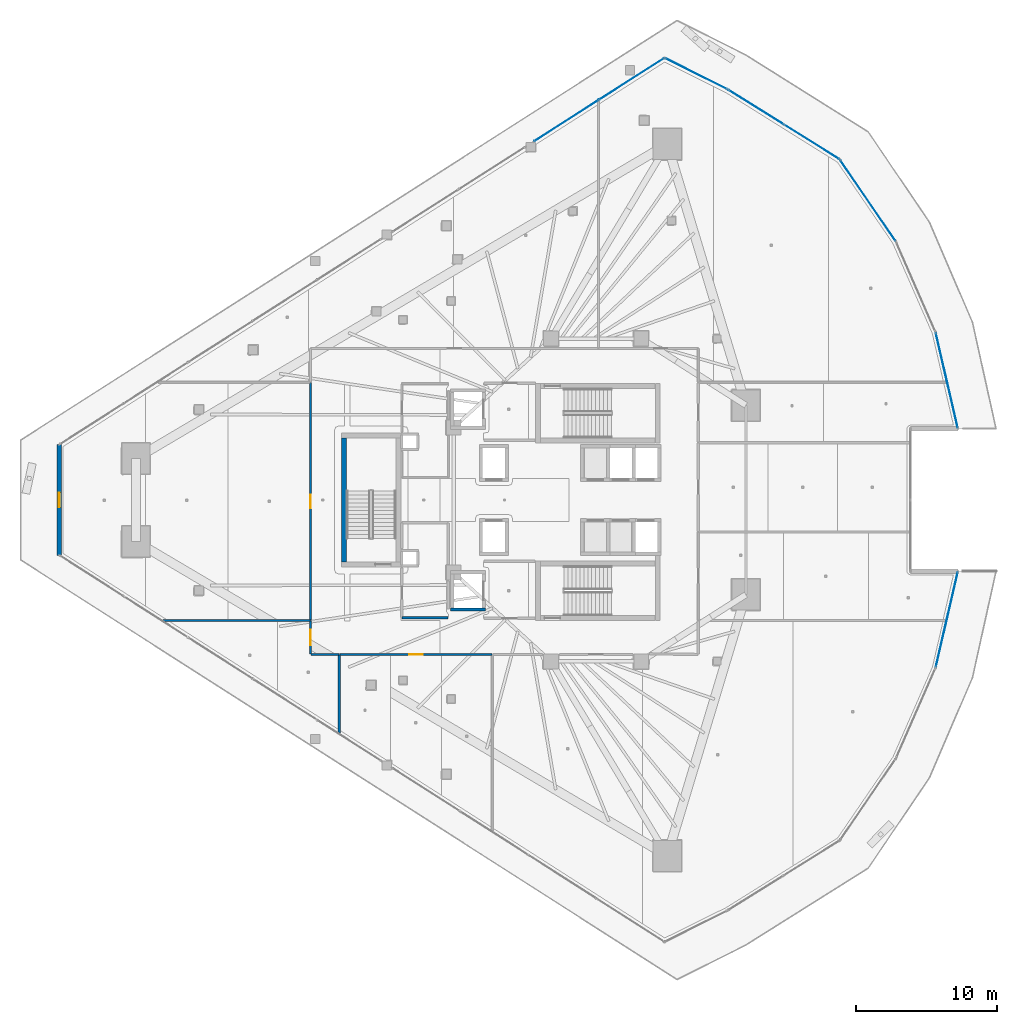
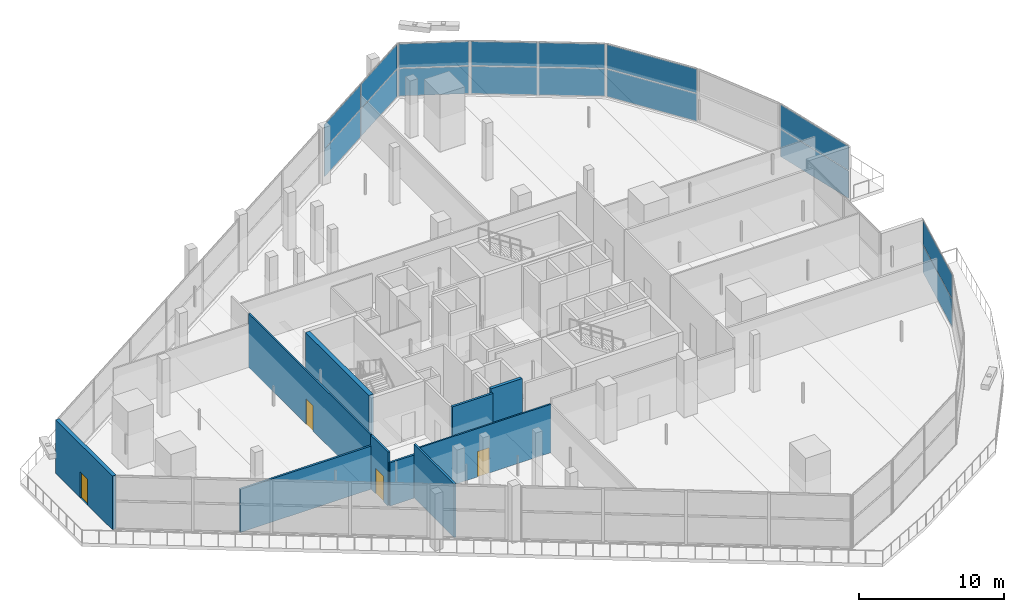
# One storey, part 25 of 42: 16 plates, 10 walls, 4 doors, 4 openings, 6 elements without a shape of their own.
"""IFC4 building model written with IfcOpenShell, lengths in metres."""

import ifcopenshell
import ifcopenshell.guid

model = None  # the IFC model being written
_history = None  # IfcOwnerHistory: only IFC2X3 demands one
_inside = {}  # id of a spatial element -> (the spatial element, [elements in it])
_under = {}  # id of a project, library or spatial element -> (it, [spatial elements below it])
_declared = {}  # id of a project -> (the project, [libraries it declares])
_typed = {}  # id of a type object -> (the type object, [elements of that type])
_made_of = {}  # id of a material, layer set ... -> (it, [elements and type objects made of it])


def new_model(schema):
    """Start an empty IFC model of exactly this schema.

    Asked for "IFC4X3", IfcOpenShell would pick the latest addendum, in which some entities
    have other attributes; the version numbers below select the first issue.
    IFC2X3 requires an IfcOwnerHistory on every rooted entity: one is made here for all.
    """
    global model, _history
    if schema == "IFC4X3":
        model = ifcopenshell.file(schema_version=(4, 3, 0, 0))
    else:
        model = ifcopenshell.file(schema=schema)
    _inside.clear()
    _under.clear()
    _declared.clear()
    _typed.clear()
    _made_of.clear()
    _history = None
    if model.schema == "IFC2X3":
        org = make("IfcOrganization", Name="unknown")
        user = make(
            "IfcPersonAndOrganization",
            ThePerson=make("IfcPerson", FamilyName="unknown"),
            TheOrganization=org,
        )
        app = make(
            "IfcApplication",
            ApplicationDeveloper=org,
            Version="unknown",
            ApplicationFullName="unknown",
            ApplicationIdentifier="unknown",
        )
        _history = make(
            "IfcOwnerHistory",
            OwningUser=user,
            OwningApplication=app,
            ChangeAction="ADDED",
            CreationDate=0,
        )
    return model


def make(cls, **values):
    """One entity of the class cls with the attributes given. An attribute that is None is left unset."""
    return model.create_entity(
        cls, **{name: value for name, value in values.items() if value is not None}
    )


def rooted(cls, **values):
    """An entity with a GlobalId (a new one), such as an element, a storey or a relation."""
    return make(cls, GlobalId=ifcopenshell.guid.new(), OwnerHistory=_history, **values)


def si_unit(unit_type, name, prefix=None):
    """IfcSIUnit, for example si_unit("LENGTHUNIT", "METRE", prefix="MILLI")."""
    return make("IfcSIUnit", UnitType=unit_type, Prefix=prefix, Name=name)


def assignment(units):
    """IfcUnitAssignment: the units of a project."""
    return None if units is None else make("IfcUnitAssignment", Units=units)


def point(xyz):
    """IfcCartesianPoint."""
    return None if xyz is None else make("IfcCartesianPoint", Coordinates=xyz)


def direction(xyz):
    """IfcDirection."""
    return None if xyz is None else make("IfcDirection", DirectionRatios=xyz)


def frame(location, z_axis=None, x_axis=None):
    """IfcAxis2Placement3D, a coordinate frame: its origin and axes. An axis left out is left unset."""
    return make(
        "IfcAxis2Placement3D",
        Location=point(location),
        Axis=direction(z_axis),
        RefDirection=direction(x_axis),
    )


def frame_2d(location, x_axis=None):
    """IfcAxis2Placement2D, a coordinate frame in the plane: its origin and x axis."""
    return make(
        "IfcAxis2Placement2D", Location=point(location), RefDirection=direction(x_axis)
    )


def origin():
    """The frame at (0, 0, 0) with its axes left unset."""
    return frame((0.0, 0.0, 0.0))


def origin_2d():
    """The frame at (0, 0) in the plane with its x axis left unset."""
    return frame_2d((0.0, 0.0))


def place(relative_to, where):
    """IfcLocalPlacement: puts the frame where relative to a parent placement (None: the world)."""
    return make(
        "IfcLocalPlacement", PlacementRelTo=relative_to, RelativePlacement=where
    )


def context(
    kind, dimensions, precision=None, world=None, true_north=None, identifier=None
):
    """IfcGeometricRepresentationContext, for example the 3D "Model" context."""
    return make(
        "IfcGeometricRepresentationContext",
        ContextIdentifier=identifier,
        ContextType=kind,
        CoordinateSpaceDimension=dimensions,
        Precision=precision,
        WorldCoordinateSystem=world,
        TrueNorth=true_north,
    )


def subcontext(parent, identifier, kind, view, scale=None):
    """IfcGeometricRepresentationSubContext, for example "Body" below "Model"."""
    return make(
        "IfcGeometricRepresentationSubContext",
        ContextIdentifier=identifier,
        ContextType=kind,
        ParentContext=parent,
        TargetScale=scale,
        TargetView=view,
    )


def project(units=None, contexts=None):
    """IfcProject with its units and contexts."""
    return rooted(
        "IfcProject",
        Name="project",
        RepresentationContexts=contexts,
        UnitsInContext=assignment(units),
    )


def spatial(cls, under=None, at=None, **own):
    """A site, building, storey or space (cls), placed at a placement, below another one or the project."""
    s = rooted(cls, ObjectPlacement=at, **own)
    if under is not None:
        _under.setdefault(under.id(), (under, []))[1].append(s)
    return s


def profile(cls, at=None, kind="AREA", **sizes):
    """A parametric profile (cls). Its sizes go by their IFC names, for example OverallWidth=200.0."""
    return make(cls, ProfileType=kind, Position=at, **sizes)


def rectangle(**sizes):
    """IfcRectangleProfileDef."""
    return profile("IfcRectangleProfileDef", **sizes)


def extrude(swept, where, along, depth):
    """IfcExtrudedAreaSolid: the profile swept, set in the frame where, extruded along a direction by depth."""
    return make(
        "IfcExtrudedAreaSolid",
        SweptArea=swept,
        Position=where,
        ExtrudedDirection=direction(along),
        Depth=depth,
    )


def shape(context_of_items, identifier, shape_type, items):
    """IfcShapeRepresentation: the items that make up one representation, for example the "Body"."""
    return make(
        "IfcShapeRepresentation",
        ContextOfItems=context_of_items,
        RepresentationIdentifier=identifier,
        RepresentationType=shape_type,
        Items=items,
    )


def material(Name=None, Category=None):
    """IfcMaterial."""
    return make("IfcMaterial", Name=Name, Category=Category)


def layer(
    of_material, thickness, ventilated=None, Name=None, Category=None, Priority=None
):
    """IfcMaterialLayer: one layer of a wall or slab, of a material (None: an air gap)."""
    return make(
        "IfcMaterialLayer",
        Material=of_material,
        LayerThickness=thickness,
        IsVentilated=ventilated,
        Name=Name,
        Category=Category,
        Priority=Priority,
    )


def layer_set(layers, Name=None):
    """IfcMaterialLayerSet."""
    return make("IfcMaterialLayerSet", MaterialLayers=layers, LayerSetName=Name)


def made_of(thing, what):
    """Note that an element or type object is made of a material, layer set ...; save() writes the relation."""
    if what is not None:
        _made_of.setdefault(what.id(), (what, []))[1].append(thing)
    return thing


def type_object(cls, material=None, **own):
    """A type object (cls), such as IfcWallType, which elements share."""
    return made_of(rooted(cls, **own), material)


def element(
    cls,
    number,
    at=None,
    inside=None,
    cuts=None,
    type_object=None,
    material=None,
    context=None,
    identifier="Body",
    shape_type=None,
    held_by="IfcProductDefinitionShape",
    body=None,
    shapes=None,
    **own,
):
    """One element of the class cls, such as IfcWall. Its Tag is "e" and its number.

    at: its placement. inside: the storey or other place that contains it. cuts: it is an
    opening in that element (IfcRelVoidsElement). A single representation is given by context,
    identifier, shape_type and body (its items); several are given by shapes. held_by: the class
    of the entity that holds the representations. save() writes the other relations.
    """
    e = rooted(cls, Tag="e%d" % number, ObjectPlacement=at, **own)
    if body is not None:
        shapes = [shape(context, identifier, shape_type, body)]
    if shapes is not None:
        e.Representation = make(held_by, Representations=shapes)
    if inside is not None:
        _inside.setdefault(inside.id(), (inside, []))[1].append(e)
    if cuts is not None:
        rooted(
            "IfcRelVoidsElement", RelatingBuildingElement=cuts, RelatedOpeningElement=e
        )
    if type_object is not None:
        _typed.setdefault(type_object.id(), (type_object, []))[1].append(e)
    return made_of(e, material)


def fill(opening, filler):
    """IfcRelFillsElement: the door or window that sits in an opening."""
    return rooted(
        "IfcRelFillsElement",
        RelatingOpeningElement=opening,
        RelatedBuildingElement=filler,
    )


def aggregate(whole, parts):
    """IfcRelAggregates: a whole, such as a stair, and the parts it consists of."""
    return rooted("IfcRelAggregates", RelatingObject=whole, RelatedObjects=parts)


def save(model, path):
    """Write the relations noted so far, then the file.

    IfcRelAggregates (storeys below a building ...), IfcRelContainedInSpatialStructure (elements
    in a storey), IfcRelDefinesByType, IfcRelAssociatesMaterial and IfcRelDeclares: one each for
    every whole, place, type object, material and project.
    """
    for whole, parts in _under.values():
        aggregate(whole, parts)
    for where, things in _inside.values():
        rooted(
            "IfcRelContainedInSpatialStructure",
            RelatedElements=things,
            RelatingStructure=where,
        )
    for kind, things in _typed.values():
        rooted("IfcRelDefinesByType", RelatedObjects=things, RelatingType=kind)
    for what, things in _made_of.values():
        rooted("IfcRelAssociatesMaterial", RelatedObjects=things, RelatingMaterial=what)
    for by, libraries in _declared.values():
        rooted("IfcRelDeclares", RelatingContext=by, RelatedDefinitions=libraries)
    model.write(path)


model = new_model("IFC4")

# Units and contexts
model_context = context("Model", 3, precision=1e-05, world=origin(), true_north=direction((0.0, 1.0)))
body_context = subcontext(model_context, "Body", "Model", "MODEL_VIEW")
ifc_project = project(units=[si_unit("LENGTHUNIT", "METRE"), si_unit("AREAUNIT", "SQUARE_METRE"), si_unit("VOLUMEUNIT", "CUBIC_METRE"), si_unit("PLANEANGLEUNIT", "RADIAN"), si_unit("MASSUNIT", "GRAM", prefix="KILO")], contexts=[model_context])

# Site, building, storey
site_placement = place(None, origin())
site = spatial("IfcSite", under=ifc_project, at=site_placement, CompositionType="ELEMENT")
building_placement = place(site_placement, origin())
building = spatial("IfcBuilding", under=site, at=building_placement, Name="Qorvath Tower", CompositionType="ELEMENT")
storey_placement = place(building_placement, frame((0.0, 0.0, 105.0)))
storey = spatial("IfcBuildingStorey", under=building, at=storey_placement, Name="L23", CompositionType="ELEMENT", Elevation=105.0)

# Curtain wall, plates
ifc_material_1 = material(Name="Anodised aluminium and triple low-E glass", Category="aluminium")
ifc_layer_1 = layer(ifc_material_1, 0.179931640625)
ifc_layer_set_1 = layer_set([ifc_layer_1], Name="CW-SYS-5")
curtain_wall_type = type_object("IfcCurtainWallType", Name="CW-SYS-5", PredefinedType="NOTDEFINED", material=ifc_layer_set_1)
curtain_wall_1_placement = place(storey_placement, origin())
curtain_wall_1 = element("IfcCurtainWall", 1, at=curtain_wall_1_placement, inside=storey, type_object=curtain_wall_type, Name="Curtain Wall CW-5 CW-T-L23-7.1", PredefinedType="NOTDEFINED")
ifc_material_2 = material(Name="Low-E triple insulated glass", Category="glass")
ifc_layer_2 = layer(ifc_material_2, 0.031982421875)
ifc_layer_set_2 = layer_set([ifc_layer_2], Name="CWP-GLZ-32")
plate_type = type_object("IfcPlateType", Name="CWP-GLZ-32", PredefinedType="CURTAIN_PANEL", material=ifc_layer_set_2)
plate_1_placement = place(storey_placement, frame((4.48828125, -8.48095703125, 0.06494140625), z_axis=(0.0, 0.0, 1.0), x_axis=(0.225084817443, 0.974339173469, 0.0)))
plate_1 = element("IfcPlate", 2, at=plate_1_placement, type_object=plate_type, Name="CW-5 panel 1.1", PredefinedType="CURTAIN_PANEL", context=body_context, shape_type="SweptSolid", body=[
    extrude(rectangle(XDim=6.8837890625, YDim=0.031982421875, at=origin_2d()), origin(), (0.0, 0.0, 1.0), 2.302490234375),
])
plate_2_placement = place(storey_placement, frame((4.48828125, -8.48095703125, 2.43212890625), z_axis=(0.0, 0.0, 1.0), x_axis=(0.225084817443, 0.974339173469, 0.0)))
plate_2 = element("IfcPlate", 3, at=plate_2_placement, type_object=plate_type, Name="CW-5 panel 1.2", PredefinedType="CURTAIN_PANEL", context=body_context, shape_type="SweptSolid", body=[
    extrude(rectangle(XDim=6.8837890625, YDim=0.031982421875, at=origin_2d()), origin(), (0.0, 0.0, 1.0), 2.022705078125),
])
aggregate(curtain_wall_1, [plate_1, plate_2])

curtain_wall_2_placement = place(storey_placement, origin())
curtain_wall_2 = element("IfcCurtainWall", 4, at=curtain_wall_2_placement, inside=storey, type_object=curtain_wall_type, Name="Curtain Wall CW-5 CW-T-L23-11.1", PredefinedType="NOTDEFINED")
plate_3_placement = place(storey_placement, frame((4.48828125, 8.48095703125, 0.06494140625), z_axis=(0.0, 0.0, 1.0), x_axis=(-0.225084817443, 0.974339173469, 0.0)))
plate_3 = element("IfcPlate", 5, at=plate_3_placement, type_object=plate_type, Name="CW-5 panel 1.1", PredefinedType="CURTAIN_PANEL", context=body_context, shape_type="SweptSolid", body=[
    extrude(rectangle(XDim=6.8837890625, YDim=0.031982421875, at=origin_2d()), origin(), (0.0, 0.0, 1.0), 2.302490234375),
])
plate_4_placement = place(storey_placement, frame((4.48828125, 8.48095703125, 2.43212890625), z_axis=(0.0, 0.0, 1.0), x_axis=(-0.225084817443, 0.974339173469, 0.0)))
plate_4 = element("IfcPlate", 6, at=plate_4_placement, type_object=plate_type, Name="CW-5 panel 1.2", PredefinedType="CURTAIN_PANEL", context=body_context, shape_type="SweptSolid", body=[
    extrude(rectangle(XDim=6.8837890625, YDim=0.031982421875, at=origin_2d()), origin(), (0.0, 0.0, 1.0), 2.022705078125),
])
aggregate(curtain_wall_2, [plate_3, plate_4])

curtain_wall_3_placement = place(storey_placement, origin())
curtain_wall_3 = element("IfcCurtainWall", 7, at=curtain_wall_3_placement, inside=storey, type_object=curtain_wall_type, Name="Curtain Wall CW-5 CW-T-L23-13.1", PredefinedType="NOTDEFINED")
plate_5_placement = place(storey_placement, frame((-1.111328125, 21.25341796875, 0.06494140625), z_axis=(0.0, 0.0, 1.0), x_axis=(-0.564120075297, 0.825692764076, 0.0)))
plate_5 = element("IfcPlate", 8, at=plate_5_placement, type_object=plate_type, Name="CW-5 panel 1.1", PredefinedType="CURTAIN_PANEL", context=body_context, shape_type="SweptSolid", body=[
    extrude(rectangle(XDim=6.883544921875, YDim=0.031982421875, at=origin_2d()), origin(), (0.0, 0.0, 1.0), 2.302490234375),
])
plate_6_placement = place(storey_placement, frame((-1.111328125, 21.25341796875, 2.43212890625), z_axis=(0.0, 0.0, 1.0), x_axis=(-0.564120075297, 0.825692764076, 0.0)))
plate_6 = element("IfcPlate", 9, at=plate_6_placement, type_object=plate_type, Name="CW-5 panel 1.2", PredefinedType="CURTAIN_PANEL", context=body_context, shape_type="SweptSolid", body=[
    extrude(rectangle(XDim=6.883544921875, YDim=0.031982421875, at=origin_2d()), origin(), (0.0, 0.0, 1.0), 2.022705078125),
])
aggregate(curtain_wall_3, [plate_5, plate_6])

curtain_wall_4_placement = place(storey_placement, origin())
curtain_wall_4 = element("IfcCurtainWall", 10, at=curtain_wall_4_placement, inside=storey, type_object=curtain_wall_type, Name="Curtain Wall CW-5 CW-T-L23-14.1", PredefinedType="NOTDEFINED")
plate_7_placement = place(storey_placement, frame((-5.1025390625, 25.410400390625, 0.06494140625), z_axis=(0.0, 0.0, 1.0), x_axis=(-0.848257232519, 0.529584429037, 0.0)))
plate_7 = element("IfcPlate", 11, at=plate_7_placement, type_object=plate_type, Name="CW-5 panel 1.1", PredefinedType="CURTAIN_PANEL", context=body_context, shape_type="SweptSolid", body=[
    extrude(rectangle(XDim=4.5830078125, YDim=0.031982421875, at=origin_2d()), origin(), (0.0, 0.0, 1.0), 2.302490234375),
])
plate_8_placement = place(storey_placement, frame((-5.1025390625, 25.410400390625, 2.43212890625), z_axis=(0.0, 0.0, 1.0), x_axis=(-0.848257232519, 0.529584429037, 0.0)))
plate_8 = element("IfcPlate", 12, at=plate_8_placement, type_object=plate_type, Name="CW-5 panel 1.2", PredefinedType="CURTAIN_PANEL", context=body_context, shape_type="SweptSolid", body=[
    extrude(rectangle(XDim=4.5830078125, YDim=0.031982421875, at=origin_2d()), origin(), (0.0, 0.0, 1.0), 2.022705078125),
])
plate_9_placement = place(storey_placement, frame((-9.053955078125, 27.87744140625, 0.06494140625), z_axis=(0.0, 0.0, 1.0), x_axis=(-0.848257232519, 0.529584429037, 0.0)))
plate_9 = element("IfcPlate", 13, at=plate_9_placement, type_object=plate_type, Name="CW-5 panel 2.1", PredefinedType="CURTAIN_PANEL", context=body_context, shape_type="SweptSolid", body=[
    extrude(rectangle(XDim=4.5830078125, YDim=0.031982421875, at=origin_2d()), origin(), (0.0, 0.0, 1.0), 2.302490234375),
])
plate_10_placement = place(storey_placement, frame((-9.053955078125, 27.87744140625, 2.43212890625), z_axis=(0.0, 0.0, 1.0), x_axis=(-0.848257232519, 0.529584429037, 0.0)))
plate_10 = element("IfcPlate", 14, at=plate_10_placement, type_object=plate_type, Name="CW-5 panel 2.2", PredefinedType="CURTAIN_PANEL", context=body_context, shape_type="SweptSolid", body=[
    extrude(rectangle(XDim=4.5830078125, YDim=0.031982421875, at=origin_2d()), origin(), (0.0, 0.0, 1.0), 2.022705078125),
])
aggregate(curtain_wall_4, [plate_7, plate_8, plate_9, plate_10])

curtain_wall_5_placement = place(storey_placement, origin())
curtain_wall_5 = element("IfcCurtainWall", 15, at=curtain_wall_5_placement, inside=storey, type_object=curtain_wall_type, Name="Curtain Wall CW-5 CW-T-L23-15.1", PredefinedType="NOTDEFINED")
plate_11_placement = place(storey_placement, frame((-13.30224609375, 30.2509765625, 0.06494140625), z_axis=(0.0, 0.0, 1.0), x_axis=(-0.894439165234, 0.447189646231, 0.0)))
plate_11 = element("IfcPlate", 16, at=plate_11_placement, type_object=plate_type, Name="CW-5 panel 1.1", PredefinedType="CURTAIN_PANEL", context=body_context, shape_type="SweptSolid", body=[
    extrude(rectangle(XDim=4.860595703125, YDim=0.031982421875, at=origin_2d()), origin(), (0.0, 0.0, 1.0), 2.302490234375),
])
plate_12_placement = place(storey_placement, frame((-13.30224609375, 30.2509765625, 2.43212890625), z_axis=(0.0, 0.0, 1.0), x_axis=(-0.894439165234, 0.447189646231, 0.0)))
plate_12 = element("IfcPlate", 17, at=plate_12_placement, type_object=plate_type, Name="CW-5 panel 1.2", PredefinedType="CURTAIN_PANEL", context=body_context, shape_type="SweptSolid", body=[
    extrude(rectangle(XDim=4.860595703125, YDim=0.031982421875, at=origin_2d()), origin(), (0.0, 0.0, 1.0), 2.022705078125),
])
aggregate(curtain_wall_5, [plate_11, plate_12])

curtain_wall_6_placement = place(storey_placement, origin())
curtain_wall_6 = element("IfcCurtainWall", 18, at=curtain_wall_6_placement, inside=storey, type_object=curtain_wall_type, Name="Curtain Wall CW-5 CW-T-L23-16.1", PredefinedType="NOTDEFINED")
plate_13_placement = place(storey_placement, frame((-17.88330078125, 29.87548828125, 0.06494140625), z_axis=(0.0, 0.0, 1.0), x_axis=(-0.842600081079, -0.538539788099, 0.0)))
plate_13 = element("IfcPlate", 19, at=plate_13_placement, type_object=plate_type, Name="CW-5 panel 1.1", PredefinedType="CURTAIN_PANEL", context=body_context, shape_type="SweptSolid", body=[
    extrude(rectangle(XDim=5.40478515625, YDim=0.031982421875, at=origin_2d()), origin(), (0.0, 0.0, 1.0), 2.302490234375),
])
plate_14_placement = place(storey_placement, frame((-17.88330078125, 29.87548828125, 2.43212890625), z_axis=(0.0, 0.0, 1.0), x_axis=(-0.842600081079, -0.538539788099, 0.0)))
plate_14 = element("IfcPlate", 20, at=plate_14_placement, type_object=plate_type, Name="CW-5 panel 1.2", PredefinedType="CURTAIN_PANEL", context=body_context, shape_type="SweptSolid", body=[
    extrude(rectangle(XDim=5.40478515625, YDim=0.031982421875, at=origin_2d()), origin(), (0.0, 0.0, 1.0), 2.022705078125),
])
plate_15_placement = place(storey_placement, frame((-22.50048828125, 26.924560546875, 0.06494140625), z_axis=(0.0, 0.0, 1.0), x_axis=(-0.842600081079, -0.538539788099, 0.0)))
plate_15 = element("IfcPlate", 21, at=plate_15_placement, type_object=plate_type, Name="CW-5 panel 2.1", PredefinedType="CURTAIN_PANEL", context=body_context, shape_type="SweptSolid", body=[
    extrude(rectangle(XDim=5.40478515625, YDim=0.031982421875, at=origin_2d()), origin(), (0.0, 0.0, 1.0), 2.302490234375),
])
plate_16_placement = place(storey_placement, frame((-22.50048828125, 26.924560546875, 2.43212890625), z_axis=(0.0, 0.0, 1.0), x_axis=(-0.842600081079, -0.538539788099, 0.0)))
plate_16 = element("IfcPlate", 22, at=plate_16_placement, type_object=plate_type, Name="CW-5 panel 2.2", PredefinedType="CURTAIN_PANEL", context=body_context, shape_type="SweptSolid", body=[
    extrude(rectangle(XDim=5.40478515625, YDim=0.031982421875, at=origin_2d()), origin(), (0.0, 0.0, 1.0), 2.022705078125),
])
aggregate(curtain_wall_6, [plate_13, plate_14, plate_15, plate_16])

# Walls
ifc_material_3 = material(Name="Gypsum shaftliner on steel studs", Category="steel")
ifc_layer_3 = layer(ifc_material_3, 0.179931640625)
ifc_layer_set_3 = layer_set([ifc_layer_3], Name="FW-LOBBY")
wall_type_1 = type_object("IfcWallType", Name="FW-LOBBY", PredefinedType="PARTITIONING", material=ifc_layer_set_3)
wall_1_placement = place(storey_placement, frame((-34.15478515625, -8.35009765625, 0.0), z_axis=(0.0, 0.0, 1.0), x_axis=(1.0, 0.0, 0.0)))
element("IfcWall", 23, at=wall_1_placement, inside=storey, type_object=wall_type_1, Name="Interior Partition IW-T1-L23-011", PredefinedType="PARTITIONING", context=body_context, shape_type="SweptSolid", body=[
    extrude(rectangle(XDim=3.25, YDim=0.179931640625, at=frame_2d((1.625, 0.0))), origin(), (0.0, 0.0, 1.0), 4.52001953125),
])
ifc_material_4 = material(Name="Double acoustic gypsum board on steel studs", Category="steel")
ifc_layer_4 = layer(ifc_material_4, 0.159912109375)
ifc_layer_set_4 = layer_set([ifc_layer_4], Name="IW-ACOUSTIC-160")
wall_type_2 = type_object("IfcWallType", Name="IW-ACOUSTIC-160", PredefinedType="PARTITIONING", material=ifc_layer_set_4)
wall_2_placement = place(storey_placement, frame((-38.6171875, -16.543701171875, 0.0), z_axis=(0.0, 0.0, 1.0), x_axis=(0.0, 1.0, 0.0)))
element("IfcWall", 24, at=wall_2_placement, inside=storey, type_object=wall_type_2, Name="Interior Partition IW-T1-L23-024", PredefinedType="PARTITIONING", context=body_context, shape_type="SweptSolid", body=[
    extrude(rectangle(XDim=5.560791015625, YDim=0.159912109375, at=frame_2d((2.7802734375, 0.0))), origin(), (0.0, 0.0, 1.0), 4.52001953125),
])
wall_3_placement = place(storey_placement, frame((-38.64208984375, -10.9580078125, 0.0), z_axis=(0.0, 0.0, 1.0), x_axis=(-1.0, 0.0, 0.0)))
element("IfcWall", 25, at=wall_3_placement, inside=storey, type_object=wall_type_2, Name="Interior Partition IW-T1-L23-025", PredefinedType="PARTITIONING", context=body_context, shape_type="SweptSolid", body=[
    extrude(rectangle(XDim=1.990966796875, YDim=0.159912109375, at=frame_2d((0.99560546875, 0.0))), origin(), (0.0, 0.0, 1.0), 3.639892578125),
])

# Wall, opening, door
wall_4_placement = place(storey_placement, frame((-40.657958984375, -10.93310546875, 0.0), z_axis=(0.0, 0.0, 1.0), x_axis=(0.0, 1.0, 0.0)))
wall_4 = element("IfcWall", 26, at=wall_4_placement, inside=storey, type_object=wall_type_2, Name="Interior Partition IW-T1-L23-026", PredefinedType="PARTITIONING", context=body_context, shape_type="SweptSolid", body=[
    extrude(rectangle(XDim=2.358154296875, YDim=0.159912109375, at=frame_2d((1.17919921875, 0.0))), origin(), (0.0, 0.0, 1.0), 4.52001953125),
])
opening_1_placement = place(wall_4_placement, frame((0.629150390625, 0.0, 0.0)))
opening_1 = element("IfcOpeningElement", 27, at=opening_1_placement, cuts=wall_4, Name="Opening D-T1-L23-05", PredefinedType="OPENING", context=body_context, shape_type="SweptSolid", body=[
    extrude(rectangle(XDim=1.10009765625, YDim=2.14990234375, at=frame_2d((0.550048828125, 1.074951171875))), frame((0.0, 0.08984375, 0.0), z_axis=(0.0, -1.0, 0.0), x_axis=(1.0, 0.0, 0.0)), (0.0, 0.0, 1.0), 0.179931640625),
])
ifc_material_5 = material(Name="Anodised aluminium acoustic framed glass", Category="aluminium")
door_type_1 = type_object("IfcDoorType", Name="D-03", OperationType="NOTDEFINED", PredefinedType="DOOR", material=ifc_material_5)
door_1_placement = place(opening_1_placement, origin())
door_1 = element("IfcDoor", 28, at=door_1_placement, inside=storey, type_object=door_type_1, Name="L23-03 Sky Client Services Office Door D-T1-L23-05", OperationType="SINGLE_SWING_RIGHT", OverallHeight=2.14990234375, OverallWidth=1.10009765625, PredefinedType="DOOR", context=body_context, shape_type="SweptSolid", body=[
    extrude(rectangle(XDim=1.10009765625, YDim=2.14990234375, at=frame_2d((0.550048828125, 1.074951171875))), frame((0.0, 0.02490234375, 0.0), z_axis=(0.0, -1.0, 0.0), x_axis=(1.0, 0.0, 0.0)), (0.0, 0.0, 1.0), 0.050048828125),
])
fill(opening_1, door_1)

# Wall
wall_5_placement = place(storey_placement, frame((-40.68310546875, -8.550048828125, 0.0), z_axis=(0.0, 0.0, 1.0), x_axis=(-1.0, 0.0, 0.0)))
element("IfcWall", 29, at=wall_5_placement, inside=storey, type_object=wall_type_2, Name="Interior Partition IW-T1-L23-027", PredefinedType="PARTITIONING", context=body_context, shape_type="SweptSolid", body=[
    extrude(rectangle(XDim=10.486572265625, YDim=0.159912109375, at=frame_2d((5.2431640625, 0.0))), origin(), (0.0, 0.0, 1.0), 3.639892578125),
])

# Wall, opening, door
ifc_material_6 = material(Name="Gypsum board on metal studs with mineral wool", Category="gypsum")
ifc_layer_5 = layer(ifc_material_6, 0.125)
ifc_layer_set_5 = layer_set([ifc_layer_5], Name="IW-PART-125")
wall_type_3 = type_object("IfcWallType", Name="IW-PART-125", PredefinedType="PARTITIONING", material=ifc_layer_set_5)
wall_6_placement = place(storey_placement, frame((-27.787841796875, -10.9580078125, 0.0), z_axis=(0.0, 0.0, 1.0), x_axis=(-1.0, 0.0, 0.0)))
wall_6 = element("IfcWall", 30, at=wall_6_placement, inside=storey, type_object=wall_type_3, Name="Interior Partition IW-T1-L23-029", PredefinedType="PARTITIONING", context=body_context, shape_type="SweptSolid", body=[
    extrude(rectangle(XDim=10.796142578125, YDim=0.125, at=frame_2d((5.39794921875, 0.0))), origin(), (0.0, 0.0, 1.0), 4.083984375),
])
opening_2_placement = place(wall_6_placement, frame((4.923095703125, 0.0, 0.0)))
opening_2 = element("IfcOpeningElement", 31, at=opening_2_placement, cuts=wall_6, Name="Opening D-T1-L23-06", PredefinedType="OPENING", context=body_context, shape_type="SweptSolid", body=[
    extrude(rectangle(XDim=0.949951171875, YDim=2.14990234375, at=frame_2d((0.47509765625, 1.074951171875))), frame((0.0, 0.072509765625, 0.0), z_axis=(0.0, -1.0, 0.0), x_axis=(1.0, 0.0, 0.0)), (0.0, 0.0, 1.0), 0.14501953125),
])
ifc_material_7 = material(Name="Solid-core American white oak veneer", Category="wood")
door_type_2 = type_object("IfcDoorType", Name="D-01", OperationType="NOTDEFINED", PredefinedType="DOOR", material=ifc_material_7)
door_2_placement = place(opening_2_placement, origin())
door_2 = element("IfcDoor", 32, at=door_2_placement, inside=storey, type_object=door_type_2, Name="L23-04 Sky Project Collaboration Workspace Door D-T1-L23-06", OperationType="SINGLE_SWING_LEFT", OverallHeight=2.14990234375, OverallWidth=0.949951171875, PredefinedType="DOOR", context=body_context, shape_type="SweptSolid", body=[
    extrude(rectangle(XDim=0.949951171875, YDim=2.14990234375, at=frame_2d((0.47509765625, 1.074951171875))), frame((0.0, 0.02490234375, 0.0), z_axis=(0.0, -1.0, 0.0), x_axis=(1.0, 0.0, 0.0)), (0.0, 0.0, 1.0), 0.050048828125),
])
fill(opening_2, door_2)

wall_7_placement = place(storey_placement, frame((-40.657958984375, -8.51708984375, 0.0), z_axis=(0.0, 0.0, 1.0), x_axis=(0.0, 1.0, 0.0)))
wall_7 = element("IfcWall", 33, at=wall_7_placement, inside=storey, type_object=wall_type_3, Name="Interior Partition IW-T1-L23-040", PredefinedType="PARTITIONING", context=body_context, shape_type="SweptSolid", body=[
    extrude(rectangle(XDim=16.833984375, YDim=0.125, at=frame_2d((8.4169921875, 0.0))), origin(), (0.0, 0.0, 1.0), 4.52001953125),
])
opening_3_placement = place(wall_7_placement, frame((7.94189453125, 0.0, 0.0)))
opening_3 = element("IfcOpeningElement", 34, at=opening_3_placement, cuts=wall_7, Name="Opening D-T1-L23-11", PredefinedType="OPENING", context=body_context, shape_type="SweptSolid", body=[
    extrude(rectangle(XDim=0.949951171875, YDim=2.14990234375, at=frame_2d((0.47509765625, 1.074951171875))), frame((0.0, 0.072509765625, 0.0), z_axis=(0.0, -1.0, 0.0), x_axis=(1.0, 0.0, 0.0)), (0.0, 0.0, 1.0), 0.14501953125),
])
door_3_placement = place(opening_3_placement, origin())
door_3 = element("IfcDoor", 35, at=door_3_placement, inside=storey, type_object=door_type_2, Name="L23-09 Sky Quantitative Research Studio Door D-T1-L23-11", OperationType="SINGLE_SWING_RIGHT", OverallHeight=2.14990234375, OverallWidth=0.949951171875, PredefinedType="DOOR", context=body_context, shape_type="SweptSolid", body=[
    extrude(rectangle(XDim=0.949951171875, YDim=2.14990234375, at=frame_2d((0.47509765625, 1.074951171875))), frame((0.0, 0.02490234375, 0.0), z_axis=(0.0, -1.0, 0.0), x_axis=(1.0, 0.0, 0.0)), (0.0, 0.0, 1.0), 0.050048828125),
])
fill(opening_3, door_3)

# Walls
ifc_material_8 = material(Name="Concrete C60/75", Category="concrete")
ifc_layer_6 = layer(ifc_material_8, 0.260009765625)
ifc_layer_set_6 = layer_set([ifc_layer_6], Name="SW-SHAFT")
wall_type_4 = type_object("IfcWallType", Name="SW-SHAFT", PredefinedType="SHEAR", material=ifc_layer_set_6)
wall_8_placement = place(storey_placement, frame((-28.260009765625, -7.77001953125, 0.0), z_axis=(0.0, 0.0, 1.0), x_axis=(-1.0, 0.0, 0.0)))
element("IfcWall", 36, at=wall_8_placement, inside=storey, type_object=wall_type_4, Name="Hoistway Wall FSAE-2 L23 S", PredefinedType="SHEAR", context=body_context, shape_type="SweptSolid", body=[
    extrude(rectangle(XDim=2.47998046875, YDim=0.239990234375, at=frame_2d((1.239990234375, 0.0))), origin(), (0.0, 0.0, 1.0), 4.52001953125),
])
ifc_material_9 = material(Name="Concrete C60/75", Category="concrete")
ifc_layer_7 = layer(ifc_material_9, 0.35009765625)
ifc_layer_set_7 = layer_set([ifc_layer_7], Name="SW-STAIR")
wall_type_5 = type_object("IfcWallType", Name="SW-STAIR", PredefinedType="SHEAR", material=ifc_layer_set_7)
wall_9_placement = place(storey_placement, frame((-38.284912109375, 4.385009765625, 0.0), z_axis=(0.0, 0.0, 1.0), x_axis=(0.0, -1.0, 0.0)))
element("IfcWall", 37, at=wall_9_placement, inside=storey, type_object=wall_type_5, Name="Stair TS3 Shear Wall L23 RIGHT", PredefinedType="SHEAR", context=body_context, shape_type="SweptSolid", body=[
    extrude(rectangle(XDim=8.77001953125, YDim=0.35009765625, at=frame_2d((4.385009765625, 0.0))), origin(), (0.0, 0.0, 1.0), 4.52001953125),
])

# Wall, opening, door
ifc_material_10 = material(Name="Precast concrete C45/55", Category="concrete")
ifc_layer_8 = layer(ifc_material_10, 0.300048828125)
ifc_layer_set_8 = layer_set([ifc_layer_8], Name="WL-EW-LOG-300")
wall_type_6 = type_object("IfcWallType", Name="WL-EW-LOG-300", PredefinedType="SOLIDWALL", material=ifc_layer_set_8)
wall_10_placement = place(storey_placement, frame((-58.49169921875, -3.92138671875, 0.0), z_axis=(0.0, 0.0, 1.0), x_axis=(0.0, 1.0, 0.0)))
wall_10 = element("IfcWall", 38, at=wall_10_placement, inside=storey, type_object=wall_type_6, Name="Tower Precast Loggia Wall L23-1.1", PredefinedType="SOLIDWALL", context=body_context, shape_type="SweptSolid", body=[
    extrude(rectangle(XDim=7.8427734375, YDim=0.300048828125, at=frame_2d((3.92138671875, 0.0))), origin(), (0.0, 0.0, 1.0), 4.52001953125),
])
opening_4_placement = place(wall_10_placement, frame((3.396484375, 0.0, 0.0)))
opening_4 = element("IfcOpeningElement", 39, at=opening_4_placement, cuts=wall_10, Name="Opening ED-L23-01", PredefinedType="OPENING", context=body_context, shape_type="SweptSolid", body=[
    extrude(rectangle(XDim=1.050048828125, YDim=2.199951171875, at=frame_2d((0.52490234375, 1.10009765625))), frame((0.0, 0.16015625, 0.0), z_axis=(0.0, -1.0, 0.0), x_axis=(1.0, 0.0, 0.0)), (0.0, 0.0, 1.0), 0.320068359375),
])
ifc_material_11 = material(Name="Thermally broken aluminium glazed door", Category="aluminium")
door_type_3 = type_object("IfcDoorType", Name="ED-LOG", OperationType="NOTDEFINED", PredefinedType="DOOR", material=ifc_material_11)
door_4_placement = place(opening_4_placement, origin())
door_4 = element("IfcDoor", 40, at=door_4_placement, inside=storey, type_object=door_type_3, Name="L23 Recessed Loggia Access Door 1", OperationType="SINGLE_SWING_LEFT", OverallHeight=2.199951171875, OverallWidth=1.050048828125, PredefinedType="DOOR", context=body_context, shape_type="SweptSolid", body=[
    extrude(rectangle(XDim=1.050048828125, YDim=2.199951171875, at=frame_2d((0.52490234375, 1.10009765625))), frame((0.0, 0.02490234375, 0.0), z_axis=(0.0, -1.0, 0.0), x_axis=(1.0, 0.0, 0.0)), (0.0, 0.0, 1.0), 0.050048828125),
])
fill(opening_4, door_4)

save(model, "model.ifc")
